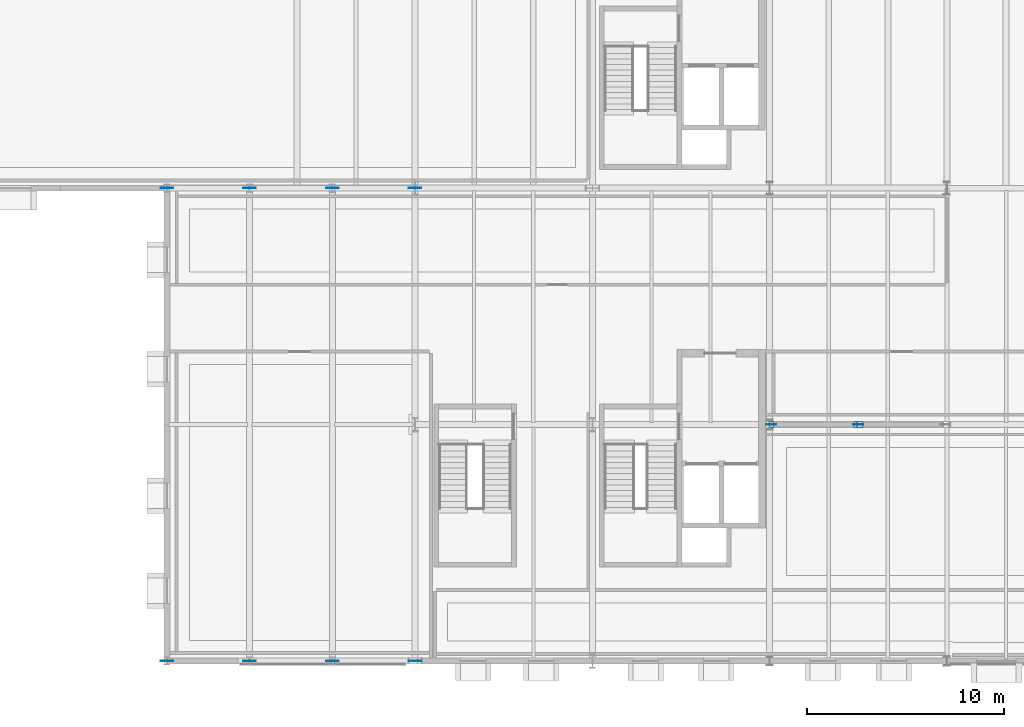
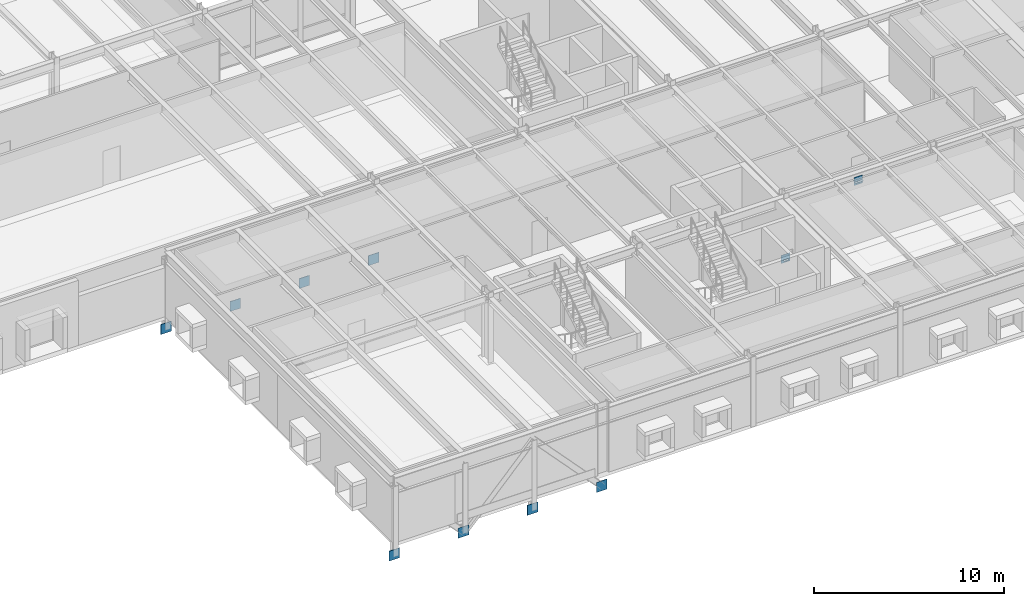
# One storey, part 103 of 127: 13 plates.
"""IFC4 building model written with IfcOpenShell, lengths in metres."""

from ifc_helpers import new_model, si_unit, direction, frame, origin, origin_2d, place, context, subcontext, project, spatial, rectangle, extrude, material, layer, layer_set, type_object, element, save


model = new_model("IFC4")

# Units and contexts
model_context = context("Model", 3, precision=1e-05, world=origin(), true_north=direction((0.0, 1.0)))
body_context = subcontext(model_context, "Body", "Model", "MODEL_VIEW")
ifc_project = project(units=[si_unit("LENGTHUNIT", "METRE"), si_unit("AREAUNIT", "SQUARE_METRE"), si_unit("VOLUMEUNIT", "CUBIC_METRE"), si_unit("PLANEANGLEUNIT", "RADIAN"), si_unit("MASSUNIT", "GRAM", prefix="KILO")], contexts=[model_context])

# Site, building, storey
site_placement = place(None, origin())
site = spatial("IfcSite", under=ifc_project, at=site_placement, CompositionType="ELEMENT")
building_placement = place(site_placement, origin())
building = spatial("IfcBuilding", under=site, at=building_placement, Name="Montelvaro Courts of Justice", CompositionType="ELEMENT")
storey_placement = place(building_placement, frame((0.0, 0.0, 5.39990234375)))
storey = spatial("IfcBuildingStorey", under=building, at=storey_placement, Name="L01", CompositionType="ELEMENT", Elevation=5.39990234375)

# Plates
ifc_material = material(Name="Steel S355", Category="steel")
ifc_layer_1 = layer(ifc_material, 0.011962890625)
ifc_layer_set_1 = layer_set([ifc_layer_1], Name="Steel S355")
plate_type_1 = type_object("IfcPlateType", Name="EndCapPlate_12", PredefinedType="USERDEFINED", material=ifc_layer_set_1)
for number, where, z_axis, x_axis, name in (
    (1, (63.080078125, 12.0, 0.07421875), (0.0, 0.0, 1.0), (1.0, 0.0, 0.0), "Brace End Cap Plate CP-01 CBF1-L01-1A"),
    (2, (67.419921875, 12.0, 3.56396484375), (0.0, 0.0, 1.0), (1.0, 0.0, 0.0), "Brace End Cap Plate CP-01 CBF1-L01-1B"),
    (3, (67.580078125, 12.0, 3.56396484375), (0.0, 0.0, 1.0), (1.0, 0.0, 0.0), "Brace End Cap Plate CP-01 CBF1-L01-2B"),
):
    element("IfcPlate", number, at=place(storey_placement, frame(where, z_axis=z_axis, x_axis=x_axis)), inside=storey, type_object=plate_type_1, Name=name, ObjectType="GUSSET PLATE", PredefinedType="USERDEFINED", context=body_context, shape_type="SweptSolid", body=[
        extrude(rectangle(XDim=0.300048828125, YDim=0.300048828125, at=origin_2d()), origin(), (0.0, 0.0, 1.0), 0.011962890625),
    ])
ifc_layer_2 = layer(ifc_material, 0.02001953125)
ifc_layer_set_2 = layer_set([ifc_layer_2], Name="Steel S355")
plate_type_2 = type_object("IfcPlateType", Name="GussetPlate_20", PredefinedType="USERDEFINED", material=ifc_layer_set_2)
for number, where, z_axis, x_axis, name in (
    (4, (63.080078125, 12.0, -0.099853515625), (0.0, 0.0, 1.0), (1.0, 0.0, 0.0), "Chevron Brace Base Gusset Plate GP-01 CBF1-L01-B1"),
    (5, (67.5, 12.0, 3.35009765625), (0.0, 0.0, 1.0), (1.0, 0.0, 0.0), "Chevron Brace Gusset Plate GP-01 CBF1-L01"),
):
    element("IfcPlate", number, at=place(storey_placement, frame(where, z_axis=z_axis, x_axis=x_axis)), inside=storey, type_object=plate_type_2, Name=name, ObjectType="GUSSET PLATE", PredefinedType="USERDEFINED", context=body_context, shape_type="SweptSolid", body=[
        extrude(rectangle(XDim=0.52001953125, YDim=0.02001953125, at=origin_2d()), origin(), (0.0, 0.0, 1.0), 0.52001953125),
    ])
ifc_layer_3 = layer(ifc_material, 0.028076171875)
ifc_layer_set_3 = layer_set([ifc_layer_3], Name="Steel S355")
plate_type_3 = type_object("IfcPlateType", Name="GussetPlate_28", PredefinedType="USERDEFINED", material=ifc_layer_set_3)
for number, where, z_axis, x_axis, name in (
    (6, (45.0, 0.0, -1.1640625), (0.0, 0.0, 1.0), (1.0, 0.0, 0.0), "Pratt Truss Gusset Plate GP-02 CTR-BAR1-S-L01-0B"),
    (7, (40.800048828125, 0.0, -1.1640625), (0.0, 0.0, 1.0), (1.0, 0.0, 0.0), "Pratt Truss Gusset Plate GP-02 CTR-BAR1-S-L01-1B"),
    (8, (36.60009765625, 0.0, -1.1640625), (0.0, 0.0, 1.0), (1.0, 0.0, 0.0), "Pratt Truss Gusset Plate GP-02 CTR-BAR1-S-L01-2B"),
    (9, (32.39990234375, 0.0, -1.1640625), (0.0, 0.0, 1.0), (1.0, 0.0, 0.0), "Pratt Truss Gusset Plate GP-02 CTR-BAR1-S-L01-3B"),
    (10, (45.0, 24.0, -1.1640625), (0.0, 0.0, 1.0), (1.0, 0.0, 0.0), "Pratt Truss Gusset Plate GP-02 CTR-BAR1-N-L01-0B"),
    (11, (40.800048828125, 24.0, -1.1640625), (0.0, 0.0, 1.0), (1.0, 0.0, 0.0), "Pratt Truss Gusset Plate GP-02 CTR-BAR1-N-L01-1B"),
    (12, (36.60009765625, 24.0, -1.1640625), (0.0, 0.0, 1.0), (1.0, 0.0, 0.0), "Pratt Truss Gusset Plate GP-02 CTR-BAR1-N-L01-2B"),
    (13, (32.39990234375, 24.0, -1.1640625), (0.0, 0.0, 1.0), (1.0, 0.0, 0.0), "Pratt Truss Gusset Plate GP-02 CTR-BAR1-N-L01-3B"),
):
    element("IfcPlate", number, at=place(storey_placement, frame(where, z_axis=z_axis, x_axis=x_axis)), inside=storey, type_object=plate_type_3, Name=name, ObjectType="GUSSET PLATE", PredefinedType="USERDEFINED", context=body_context, shape_type="SweptSolid", body=[
        extrude(rectangle(XDim=0.639892578125, YDim=0.028076171875, at=origin_2d()), origin(), (0.0, 0.0, 1.0), 0.639892578125),
    ])

save(model, "model.ifc")
